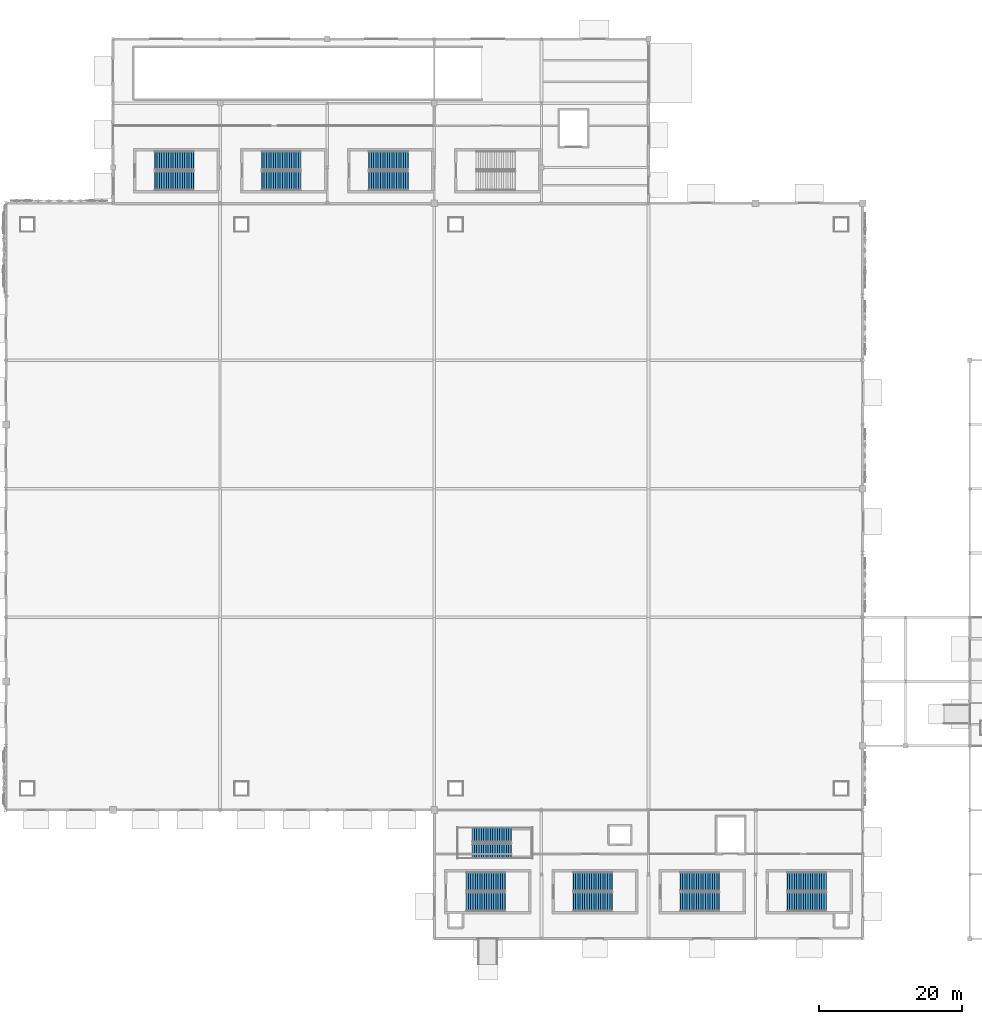
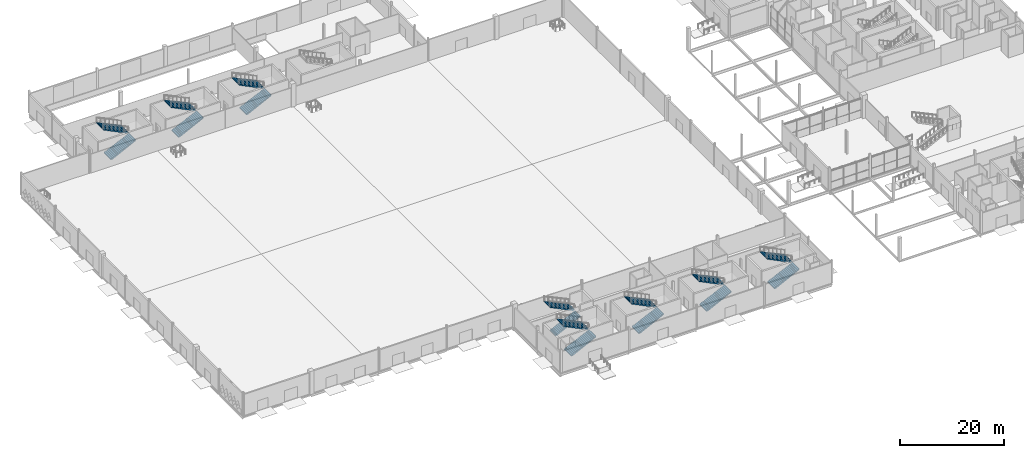
# One storey, part 65 of 94: 16 stair flights, 8 elements without a shape of their own.
"""IFC4 building model written with IfcOpenShell, lengths in metres."""

from ifc_helpers import new_model, si_unit, direction, frame, origin, place, context, subcontext, project, spatial, polyline, outline, extrude, material, type_object, element, aggregate, save


model = new_model("IFC4")

# Units and contexts
model_context = context("Model", 3, precision=1e-05, world=origin(), true_north=direction((0.0, 1.0)))
body_context = subcontext(model_context, "Body", "Model", "MODEL_VIEW")
ifc_project = project(units=[si_unit("LENGTHUNIT", "METRE"), si_unit("AREAUNIT", "SQUARE_METRE"), si_unit("VOLUMEUNIT", "CUBIC_METRE"), si_unit("PLANEANGLEUNIT", "RADIAN"), si_unit("MASSUNIT", "GRAM", prefix="KILO")], contexts=[model_context])

# Site, building, storey
site_placement = place(None, origin())
site = spatial("IfcSite", under=ifc_project, at=site_placement, CompositionType="ELEMENT")
building_placement = place(site_placement, origin())
building = spatial("IfcBuilding", under=site, at=building_placement, Name="Qamarlyn Nura Convention Centre", CompositionType="ELEMENT")
storey_placement = place(building_placement, origin())
storey = spatial("IfcBuildingStorey", under=building, at=storey_placement, Name="L00", CompositionType="ELEMENT", Elevation=0.0)

# Stair, stair flights
ifc_material = material(Name="Concrete C40/50", Category="concrete")
stair_type_1 = type_object("IfcStairType", Name="STAIR-EXIT-54", PredefinedType="HALF_TURN_STAIR", material=ifc_material)
stair_1_placement = place(storey_placement, origin())
stair_1 = element("IfcStair", 1, at=stair_1_placement, inside=storey, type_object=stair_type_1, Name="L00 Enclosed exit stair ST-01", PredefinedType="HALF_TURN_STAIR")
stair_flight_type_1 = type_object("IfcStairFlightType", Name="FLIGHT-EXIT-54", PredefinedType="STRAIGHT", material=ifc_material)
stair_flight_1_placement = place(storey_placement, frame((20.860107421875, 106.1298828125, 0.0), z_axis=(0.0, 0.0, 1.0), x_axis=(1.0, 0.0, 0.0)))
stair_flight_1 = element("IfcStairFlight", 2, at=stair_flight_1_placement, type_object=stair_flight_type_1, Name="ST-01 flight 1", NumberOfRisers=18, NumberOfTreads=17, PredefinedType="STRAIGHT", RiserHeight=0.15, TreadLength=0.32, context=body_context, shape_type="SweptSolid", body=[
    extrude(outline(polyline([(-0.054931640625, 0.0), (0.0, 0.0), (0.0, 0.14990234375), (0.320068359375, 0.14990234375), (0.320068359375, 0.300048828125), (0.639892578125, 0.300048828125), (0.639892578125, 0.449951171875), (0.9599609375, 0.449951171875), (0.9599609375, 0.60009765625), (1.280029296875, 0.60009765625), (1.280029296875, 0.75), (1.60009765625, 0.75), (1.60009765625, 0.89990234375), (1.919921875, 0.89990234375), (1.919921875, 1.050048828125), (2.239990234375, 1.050048828125), (2.239990234375, 1.199951171875), (2.56005859375, 1.199951171875), (2.56005859375, 1.35009765625), (2.8798828125, 1.35009765625), (2.8798828125, 1.5), (3.199951171875, 1.5), (3.199951171875, 1.64990234375), (3.52001953125, 1.64990234375), (3.52001953125, 1.800048828125), (3.840087890625, 1.800048828125), (3.840087890625, 1.949951171875), (4.159912109375, 1.949951171875), (4.159912109375, 2.10009765625), (4.47998046875, 2.10009765625), (4.47998046875, 2.25), (4.800048828125, 2.25), (4.800048828125, 2.39990234375), (5.1201171875, 2.39990234375), (5.1201171875, 2.550048828125), (5.43994140625, 2.550048828125), (5.43994140625, 2.699951171875), (5.494873046875, 2.699951171875), (5.494873046875, 2.56005859375), (5.43994140625, 2.384521484375), (0.353271484375, -0.139892578125), (-0.054931640625, -0.139892578125), (-0.054931640625, 0.0)])), frame((0.0, 1.330078125, 0.0), z_axis=(0.0, -1.0, 0.0), x_axis=(1.0, 0.0, 0.0)), (0.0, 0.0, 1.0), 2.659912109375),
])
stair_flight_2_placement = place(storey_placement, frame((26.300048828125, 108.969970703125, 2.699951171875), z_axis=(0.0, 0.0, 1.0), x_axis=(-1.0, 0.0, 0.0)))
stair_flight_2 = element("IfcStairFlight", 3, at=stair_flight_2_placement, type_object=stair_flight_type_1, Name="ST-01 flight 2", NumberOfRisers=18, NumberOfTreads=17, PredefinedType="STRAIGHT", RiserHeight=0.15, TreadLength=0.32, context=body_context, shape_type="SweptSolid", body=[
    extrude(outline(polyline([(-0.054931640625, 0.0), (0.0, 0.0), (0.0, 0.14990234375), (0.320068359375, 0.14990234375), (0.320068359375, 0.300048828125), (0.639892578125, 0.300048828125), (0.639892578125, 0.449951171875), (0.9599609375, 0.449951171875), (0.9599609375, 0.60009765625), (1.280029296875, 0.60009765625), (1.280029296875, 0.75), (1.60009765625, 0.75), (1.60009765625, 0.89990234375), (1.919921875, 0.89990234375), (1.919921875, 1.050048828125), (2.239990234375, 1.050048828125), (2.239990234375, 1.199951171875), (2.56005859375, 1.199951171875), (2.56005859375, 1.35009765625), (2.8798828125, 1.35009765625), (2.8798828125, 1.5), (3.199951171875, 1.5), (3.199951171875, 1.64990234375), (3.52001953125, 1.64990234375), (3.52001953125, 1.800048828125), (3.840087890625, 1.800048828125), (3.840087890625, 1.949951171875), (4.159912109375, 1.949951171875), (4.159912109375, 2.10009765625), (4.47998046875, 2.10009765625), (4.47998046875, 2.25), (4.800048828125, 2.25), (4.800048828125, 2.39990234375), (5.1201171875, 2.39990234375), (5.1201171875, 2.550048828125), (5.43994140625, 2.550048828125), (5.43994140625, 2.699951171875), (5.494873046875, 2.699951171875), (5.494873046875, 2.56005859375), (5.43994140625, 2.384521484375), (0.353271484375, -0.139892578125), (-0.054931640625, -0.139892578125), (-0.054931640625, 0.0)])), frame((0.0, 1.330078125, 0.0), z_axis=(0.0, -1.0, 0.0), x_axis=(1.0, 0.0, 0.0)), (0.0, 0.0, 1.0), 2.659912109375),
])
aggregate(stair_1, [stair_flight_1, stair_flight_2])

stair_2_placement = place(storey_placement, origin())
stair_2 = element("IfcStair", 4, at=stair_2_placement, inside=storey, type_object=stair_type_1, Name="L00 Enclosed exit stair ST-02", PredefinedType="HALF_TURN_STAIR")
stair_flight_3_placement = place(storey_placement, frame((35.860107421875, 106.1298828125, 0.0), z_axis=(0.0, 0.0, 1.0), x_axis=(1.0, 0.0, 0.0)))
stair_flight_3 = element("IfcStairFlight", 5, at=stair_flight_3_placement, type_object=stair_flight_type_1, Name="ST-02 flight 1", NumberOfRisers=18, NumberOfTreads=17, PredefinedType="STRAIGHT", RiserHeight=0.15, TreadLength=0.32, context=body_context, shape_type="SweptSolid", body=[
    extrude(outline(polyline([(-0.054931640625, 0.0), (0.0, 0.0), (0.0, 0.14990234375), (0.320068359375, 0.14990234375), (0.320068359375, 0.300048828125), (0.639892578125, 0.300048828125), (0.639892578125, 0.449951171875), (0.9599609375, 0.449951171875), (0.9599609375, 0.60009765625), (1.280029296875, 0.60009765625), (1.280029296875, 0.75), (1.60009765625, 0.75), (1.60009765625, 0.89990234375), (1.919921875, 0.89990234375), (1.919921875, 1.050048828125), (2.239990234375, 1.050048828125), (2.239990234375, 1.199951171875), (2.56005859375, 1.199951171875), (2.56005859375, 1.35009765625), (2.8798828125, 1.35009765625), (2.8798828125, 1.5), (3.199951171875, 1.5), (3.199951171875, 1.64990234375), (3.52001953125, 1.64990234375), (3.52001953125, 1.800048828125), (3.840087890625, 1.800048828125), (3.840087890625, 1.949951171875), (4.159912109375, 1.949951171875), (4.159912109375, 2.10009765625), (4.47998046875, 2.10009765625), (4.47998046875, 2.25), (4.800048828125, 2.25), (4.800048828125, 2.39990234375), (5.1201171875, 2.39990234375), (5.1201171875, 2.550048828125), (5.43994140625, 2.550048828125), (5.43994140625, 2.699951171875), (5.494873046875, 2.699951171875), (5.494873046875, 2.56005859375), (5.43994140625, 2.384521484375), (0.353271484375, -0.139892578125), (-0.054931640625, -0.139892578125), (-0.054931640625, 0.0)])), frame((0.0, 1.330078125, 0.0), z_axis=(0.0, -1.0, 0.0), x_axis=(1.0, 0.0, 0.0)), (0.0, 0.0, 1.0), 2.659912109375),
])
stair_flight_4_placement = place(storey_placement, frame((41.300048828125, 108.969970703125, 2.699951171875), z_axis=(0.0, 0.0, 1.0), x_axis=(-1.0, 0.0, 0.0)))
stair_flight_4 = element("IfcStairFlight", 6, at=stair_flight_4_placement, type_object=stair_flight_type_1, Name="ST-02 flight 2", NumberOfRisers=18, NumberOfTreads=17, PredefinedType="STRAIGHT", RiserHeight=0.15, TreadLength=0.32, context=body_context, shape_type="SweptSolid", body=[
    extrude(outline(polyline([(-0.054931640625, 0.0), (0.0, 0.0), (0.0, 0.14990234375), (0.320068359375, 0.14990234375), (0.320068359375, 0.300048828125), (0.639892578125, 0.300048828125), (0.639892578125, 0.449951171875), (0.9599609375, 0.449951171875), (0.9599609375, 0.60009765625), (1.280029296875, 0.60009765625), (1.280029296875, 0.75), (1.60009765625, 0.75), (1.60009765625, 0.89990234375), (1.919921875, 0.89990234375), (1.919921875, 1.050048828125), (2.239990234375, 1.050048828125), (2.239990234375, 1.199951171875), (2.56005859375, 1.199951171875), (2.56005859375, 1.35009765625), (2.8798828125, 1.35009765625), (2.8798828125, 1.5), (3.199951171875, 1.5), (3.199951171875, 1.64990234375), (3.52001953125, 1.64990234375), (3.52001953125, 1.800048828125), (3.840087890625, 1.800048828125), (3.840087890625, 1.949951171875), (4.159912109375, 1.949951171875), (4.159912109375, 2.10009765625), (4.47998046875, 2.10009765625), (4.47998046875, 2.25), (4.800048828125, 2.25), (4.800048828125, 2.39990234375), (5.1201171875, 2.39990234375), (5.1201171875, 2.550048828125), (5.43994140625, 2.550048828125), (5.43994140625, 2.699951171875), (5.494873046875, 2.699951171875), (5.494873046875, 2.56005859375), (5.43994140625, 2.384521484375), (0.353271484375, -0.139892578125), (-0.054931640625, -0.139892578125), (-0.054931640625, 0.0)])), frame((0.0, 1.330078125, 0.0), z_axis=(0.0, -1.0, 0.0), x_axis=(1.0, 0.0, 0.0)), (0.0, 0.0, 1.0), 2.659912109375),
])
aggregate(stair_2, [stair_flight_3, stair_flight_4])

stair_3_placement = place(storey_placement, origin())
stair_3 = element("IfcStair", 7, at=stair_3_placement, inside=storey, type_object=stair_type_1, Name="L00 Enclosed exit stair ST-03", PredefinedType="HALF_TURN_STAIR")
stair_flight_5_placement = place(storey_placement, frame((50.860107421875, 106.1298828125, 0.0), z_axis=(0.0, 0.0, 1.0), x_axis=(1.0, 0.0, 0.0)))
stair_flight_5 = element("IfcStairFlight", 8, at=stair_flight_5_placement, type_object=stair_flight_type_1, Name="ST-03 flight 1", NumberOfRisers=18, NumberOfTreads=17, PredefinedType="STRAIGHT", RiserHeight=0.15, TreadLength=0.32, context=body_context, shape_type="SweptSolid", body=[
    extrude(outline(polyline([(-0.054931640625, 0.0), (0.0, 0.0), (0.0, 0.14990234375), (0.320068359375, 0.14990234375), (0.320068359375, 0.300048828125), (0.639892578125, 0.300048828125), (0.639892578125, 0.449951171875), (0.9599609375, 0.449951171875), (0.9599609375, 0.60009765625), (1.280029296875, 0.60009765625), (1.280029296875, 0.75), (1.60009765625, 0.75), (1.60009765625, 0.89990234375), (1.919921875, 0.89990234375), (1.919921875, 1.050048828125), (2.239990234375, 1.050048828125), (2.239990234375, 1.199951171875), (2.56005859375, 1.199951171875), (2.56005859375, 1.35009765625), (2.8798828125, 1.35009765625), (2.8798828125, 1.5), (3.199951171875, 1.5), (3.199951171875, 1.64990234375), (3.52001953125, 1.64990234375), (3.52001953125, 1.800048828125), (3.840087890625, 1.800048828125), (3.840087890625, 1.949951171875), (4.159912109375, 1.949951171875), (4.159912109375, 2.10009765625), (4.47998046875, 2.10009765625), (4.47998046875, 2.25), (4.800048828125, 2.25), (4.800048828125, 2.39990234375), (5.1201171875, 2.39990234375), (5.1201171875, 2.550048828125), (5.43994140625, 2.550048828125), (5.43994140625, 2.699951171875), (5.494873046875, 2.699951171875), (5.494873046875, 2.56005859375), (5.43994140625, 2.384521484375), (0.353271484375, -0.139892578125), (-0.054931640625, -0.139892578125), (-0.054931640625, 0.0)])), frame((0.0, 1.330078125, 0.0), z_axis=(0.0, -1.0, 0.0), x_axis=(1.0, 0.0, 0.0)), (0.0, 0.0, 1.0), 2.659912109375),
])
stair_flight_6_placement = place(storey_placement, frame((56.300048828125, 108.969970703125, 2.699951171875), z_axis=(0.0, 0.0, 1.0), x_axis=(-1.0, 0.0, 0.0)))
stair_flight_6 = element("IfcStairFlight", 9, at=stair_flight_6_placement, type_object=stair_flight_type_1, Name="ST-03 flight 2", NumberOfRisers=18, NumberOfTreads=17, PredefinedType="STRAIGHT", RiserHeight=0.15, TreadLength=0.32, context=body_context, shape_type="SweptSolid", body=[
    extrude(outline(polyline([(-0.054931640625, 0.0), (0.0, 0.0), (0.0, 0.14990234375), (0.320068359375, 0.14990234375), (0.320068359375, 0.300048828125), (0.639892578125, 0.300048828125), (0.639892578125, 0.449951171875), (0.9599609375, 0.449951171875), (0.9599609375, 0.60009765625), (1.280029296875, 0.60009765625), (1.280029296875, 0.75), (1.60009765625, 0.75), (1.60009765625, 0.89990234375), (1.919921875, 0.89990234375), (1.919921875, 1.050048828125), (2.239990234375, 1.050048828125), (2.239990234375, 1.199951171875), (2.56005859375, 1.199951171875), (2.56005859375, 1.35009765625), (2.8798828125, 1.35009765625), (2.8798828125, 1.5), (3.199951171875, 1.5), (3.199951171875, 1.64990234375), (3.52001953125, 1.64990234375), (3.52001953125, 1.800048828125), (3.840087890625, 1.800048828125), (3.840087890625, 1.949951171875), (4.159912109375, 1.949951171875), (4.159912109375, 2.10009765625), (4.47998046875, 2.10009765625), (4.47998046875, 2.25), (4.800048828125, 2.25), (4.800048828125, 2.39990234375), (5.1201171875, 2.39990234375), (5.1201171875, 2.550048828125), (5.43994140625, 2.550048828125), (5.43994140625, 2.699951171875), (5.494873046875, 2.699951171875), (5.494873046875, 2.56005859375), (5.43994140625, 2.384521484375), (0.353271484375, -0.139892578125), (-0.054931640625, -0.139892578125), (-0.054931640625, 0.0)])), frame((0.0, 1.330078125, 0.0), z_axis=(0.0, -1.0, 0.0), x_axis=(1.0, 0.0, 0.0)), (0.0, 0.0, 1.0), 2.659912109375),
])
aggregate(stair_3, [stair_flight_5, stair_flight_6])

stair_4_placement = place(storey_placement, origin())
stair_4 = element("IfcStair", 10, at=stair_4_placement, inside=storey, type_object=stair_type_1, Name="L00 Enclosed exit stair ST-05", PredefinedType="HALF_TURN_STAIR")
stair_flight_7_placement = place(storey_placement, frame((64.4599609375, 5.1298828125, 0.0), z_axis=(0.0, 0.0, 1.0), x_axis=(1.0, 0.0, 0.0)))
stair_flight_7 = element("IfcStairFlight", 11, at=stair_flight_7_placement, type_object=stair_flight_type_1, Name="ST-05 flight 1", NumberOfRisers=18, NumberOfTreads=17, PredefinedType="STRAIGHT", RiserHeight=0.15, TreadLength=0.32, context=body_context, shape_type="SweptSolid", body=[
    extrude(outline(polyline([(-0.054931640625, 0.0), (0.0, 0.0), (0.0, 0.14990234375), (0.320068359375, 0.14990234375), (0.320068359375, 0.300048828125), (0.639892578125, 0.300048828125), (0.639892578125, 0.449951171875), (0.9599609375, 0.449951171875), (0.9599609375, 0.60009765625), (1.280029296875, 0.60009765625), (1.280029296875, 0.75), (1.60009765625, 0.75), (1.60009765625, 0.89990234375), (1.919921875, 0.89990234375), (1.919921875, 1.050048828125), (2.239990234375, 1.050048828125), (2.239990234375, 1.199951171875), (2.56005859375, 1.199951171875), (2.56005859375, 1.35009765625), (2.8798828125, 1.35009765625), (2.8798828125, 1.5), (3.199951171875, 1.5), (3.199951171875, 1.64990234375), (3.52001953125, 1.64990234375), (3.52001953125, 1.800048828125), (3.840087890625, 1.800048828125), (3.840087890625, 1.949951171875), (4.159912109375, 1.949951171875), (4.159912109375, 2.10009765625), (4.47998046875, 2.10009765625), (4.47998046875, 2.25), (4.800048828125, 2.25), (4.800048828125, 2.39990234375), (5.1201171875, 2.39990234375), (5.1201171875, 2.550048828125), (5.43994140625, 2.550048828125), (5.43994140625, 2.699951171875), (5.494873046875, 2.699951171875), (5.494873046875, 2.56005859375), (5.43994140625, 2.384521484375), (0.353271484375, -0.139892578125), (-0.054931640625, -0.139892578125), (-0.054931640625, 0.0)])), frame((0.0, 1.330078125, 0.0), z_axis=(0.0, -1.0, 0.0), x_axis=(1.0, 0.0, 0.0)), (0.0, 0.0, 1.0), 2.659912109375),
])
stair_flight_8_placement = place(storey_placement, frame((69.89990234375, 7.969970703125, 2.699951171875), z_axis=(0.0, 0.0, 1.0), x_axis=(-1.0, 0.0, 0.0)))
stair_flight_8 = element("IfcStairFlight", 12, at=stair_flight_8_placement, type_object=stair_flight_type_1, Name="ST-05 flight 2", NumberOfRisers=18, NumberOfTreads=17, PredefinedType="STRAIGHT", RiserHeight=0.15, TreadLength=0.32, context=body_context, shape_type="SweptSolid", body=[
    extrude(outline(polyline([(-0.054931640625, 0.0), (0.0, 0.0), (0.0, 0.14990234375), (0.320068359375, 0.14990234375), (0.320068359375, 0.300048828125), (0.639892578125, 0.300048828125), (0.639892578125, 0.449951171875), (0.9599609375, 0.449951171875), (0.9599609375, 0.60009765625), (1.280029296875, 0.60009765625), (1.280029296875, 0.75), (1.60009765625, 0.75), (1.60009765625, 0.89990234375), (1.919921875, 0.89990234375), (1.919921875, 1.050048828125), (2.239990234375, 1.050048828125), (2.239990234375, 1.199951171875), (2.56005859375, 1.199951171875), (2.56005859375, 1.35009765625), (2.8798828125, 1.35009765625), (2.8798828125, 1.5), (3.199951171875, 1.5), (3.199951171875, 1.64990234375), (3.52001953125, 1.64990234375), (3.52001953125, 1.800048828125), (3.840087890625, 1.800048828125), (3.840087890625, 1.949951171875), (4.159912109375, 1.949951171875), (4.159912109375, 2.10009765625), (4.47998046875, 2.10009765625), (4.47998046875, 2.25), (4.800048828125, 2.25), (4.800048828125, 2.39990234375), (5.1201171875, 2.39990234375), (5.1201171875, 2.550048828125), (5.43994140625, 2.550048828125), (5.43994140625, 2.699951171875), (5.494873046875, 2.699951171875), (5.494873046875, 2.56005859375), (5.43994140625, 2.384521484375), (0.353271484375, -0.139892578125), (-0.054931640625, -0.139892578125), (-0.054931640625, 0.0)])), frame((0.0, 1.330078125, 0.0), z_axis=(0.0, -1.0, 0.0), x_axis=(1.0, 0.0, 0.0)), (0.0, 0.0, 1.0), 2.659912109375),
])
aggregate(stair_4, [stair_flight_7, stair_flight_8])

stair_5_placement = place(storey_placement, origin())
stair_5 = element("IfcStair", 13, at=stair_5_placement, inside=storey, type_object=stair_type_1, Name="L00 Enclosed exit stair ST-06", PredefinedType="HALF_TURN_STAIR")
stair_flight_9_placement = place(storey_placement, frame((79.4599609375, 5.1298828125, 0.0), z_axis=(0.0, 0.0, 1.0), x_axis=(1.0, 0.0, 0.0)))
stair_flight_9 = element("IfcStairFlight", 14, at=stair_flight_9_placement, type_object=stair_flight_type_1, Name="ST-06 flight 1", NumberOfRisers=18, NumberOfTreads=17, PredefinedType="STRAIGHT", RiserHeight=0.15, TreadLength=0.32, context=body_context, shape_type="SweptSolid", body=[
    extrude(outline(polyline([(-0.054931640625, 0.0), (0.0, 0.0), (0.0, 0.14990234375), (0.320068359375, 0.14990234375), (0.320068359375, 0.300048828125), (0.639892578125, 0.300048828125), (0.639892578125, 0.449951171875), (0.9599609375, 0.449951171875), (0.9599609375, 0.60009765625), (1.280029296875, 0.60009765625), (1.280029296875, 0.75), (1.60009765625, 0.75), (1.60009765625, 0.89990234375), (1.919921875, 0.89990234375), (1.919921875, 1.050048828125), (2.239990234375, 1.050048828125), (2.239990234375, 1.199951171875), (2.56005859375, 1.199951171875), (2.56005859375, 1.35009765625), (2.8798828125, 1.35009765625), (2.8798828125, 1.5), (3.199951171875, 1.5), (3.199951171875, 1.64990234375), (3.52001953125, 1.64990234375), (3.52001953125, 1.800048828125), (3.840087890625, 1.800048828125), (3.840087890625, 1.949951171875), (4.159912109375, 1.949951171875), (4.159912109375, 2.10009765625), (4.47998046875, 2.10009765625), (4.47998046875, 2.25), (4.800048828125, 2.25), (4.800048828125, 2.39990234375), (5.1201171875, 2.39990234375), (5.1201171875, 2.550048828125), (5.43994140625, 2.550048828125), (5.43994140625, 2.699951171875), (5.494873046875, 2.699951171875), (5.494873046875, 2.56005859375), (5.43994140625, 2.384521484375), (0.353271484375, -0.139892578125), (-0.054931640625, -0.139892578125), (-0.054931640625, 0.0)])), frame((0.0, 1.330078125, 0.0), z_axis=(0.0, -1.0, 0.0), x_axis=(1.0, 0.0, 0.0)), (0.0, 0.0, 1.0), 2.659912109375),
])
stair_flight_10_placement = place(storey_placement, frame((84.89990234375, 7.969970703125, 2.699951171875), z_axis=(0.0, 0.0, 1.0), x_axis=(-1.0, 0.0, 0.0)))
stair_flight_10 = element("IfcStairFlight", 15, at=stair_flight_10_placement, type_object=stair_flight_type_1, Name="ST-06 flight 2", NumberOfRisers=18, NumberOfTreads=17, PredefinedType="STRAIGHT", RiserHeight=0.15, TreadLength=0.32, context=body_context, shape_type="SweptSolid", body=[
    extrude(outline(polyline([(-0.054931640625, 0.0), (0.0, 0.0), (0.0, 0.14990234375), (0.320068359375, 0.14990234375), (0.320068359375, 0.300048828125), (0.639892578125, 0.300048828125), (0.639892578125, 0.449951171875), (0.9599609375, 0.449951171875), (0.9599609375, 0.60009765625), (1.280029296875, 0.60009765625), (1.280029296875, 0.75), (1.60009765625, 0.75), (1.60009765625, 0.89990234375), (1.919921875, 0.89990234375), (1.919921875, 1.050048828125), (2.239990234375, 1.050048828125), (2.239990234375, 1.199951171875), (2.56005859375, 1.199951171875), (2.56005859375, 1.35009765625), (2.8798828125, 1.35009765625), (2.8798828125, 1.5), (3.199951171875, 1.5), (3.199951171875, 1.64990234375), (3.52001953125, 1.64990234375), (3.52001953125, 1.800048828125), (3.840087890625, 1.800048828125), (3.840087890625, 1.949951171875), (4.159912109375, 1.949951171875), (4.159912109375, 2.10009765625), (4.47998046875, 2.10009765625), (4.47998046875, 2.25), (4.800048828125, 2.25), (4.800048828125, 2.39990234375), (5.1201171875, 2.39990234375), (5.1201171875, 2.550048828125), (5.43994140625, 2.550048828125), (5.43994140625, 2.699951171875), (5.494873046875, 2.699951171875), (5.494873046875, 2.56005859375), (5.43994140625, 2.384521484375), (0.353271484375, -0.139892578125), (-0.054931640625, -0.139892578125), (-0.054931640625, 0.0)])), frame((0.0, 1.330078125, 0.0), z_axis=(0.0, -1.0, 0.0), x_axis=(1.0, 0.0, 0.0)), (0.0, 0.0, 1.0), 2.659912109375),
])
aggregate(stair_5, [stair_flight_9, stair_flight_10])

stair_6_placement = place(storey_placement, origin())
stair_6 = element("IfcStair", 16, at=stair_6_placement, inside=storey, type_object=stair_type_1, Name="L00 Enclosed exit stair ST-07", PredefinedType="HALF_TURN_STAIR")
stair_flight_11_placement = place(storey_placement, frame((94.4599609375, 5.1298828125, 0.0), z_axis=(0.0, 0.0, 1.0), x_axis=(1.0, 0.0, 0.0)))
stair_flight_11 = element("IfcStairFlight", 17, at=stair_flight_11_placement, type_object=stair_flight_type_1, Name="ST-07 flight 1", NumberOfRisers=18, NumberOfTreads=17, PredefinedType="STRAIGHT", RiserHeight=0.15, TreadLength=0.32, context=body_context, shape_type="SweptSolid", body=[
    extrude(outline(polyline([(-0.054931640625, 0.0), (0.0, 0.0), (0.0, 0.14990234375), (0.320068359375, 0.14990234375), (0.320068359375, 0.300048828125), (0.639892578125, 0.300048828125), (0.639892578125, 0.449951171875), (0.9599609375, 0.449951171875), (0.9599609375, 0.60009765625), (1.280029296875, 0.60009765625), (1.280029296875, 0.75), (1.60009765625, 0.75), (1.60009765625, 0.89990234375), (1.919921875, 0.89990234375), (1.919921875, 1.050048828125), (2.239990234375, 1.050048828125), (2.239990234375, 1.199951171875), (2.56005859375, 1.199951171875), (2.56005859375, 1.35009765625), (2.8798828125, 1.35009765625), (2.8798828125, 1.5), (3.199951171875, 1.5), (3.199951171875, 1.64990234375), (3.52001953125, 1.64990234375), (3.52001953125, 1.800048828125), (3.840087890625, 1.800048828125), (3.840087890625, 1.949951171875), (4.159912109375, 1.949951171875), (4.159912109375, 2.10009765625), (4.47998046875, 2.10009765625), (4.47998046875, 2.25), (4.800048828125, 2.25), (4.800048828125, 2.39990234375), (5.1201171875, 2.39990234375), (5.1201171875, 2.550048828125), (5.43994140625, 2.550048828125), (5.43994140625, 2.699951171875), (5.494873046875, 2.699951171875), (5.494873046875, 2.56005859375), (5.43994140625, 2.384521484375), (0.353271484375, -0.139892578125), (-0.054931640625, -0.139892578125), (-0.054931640625, 0.0)])), frame((0.0, 1.330078125, 0.0), z_axis=(0.0, -1.0, 0.0), x_axis=(1.0, 0.0, 0.0)), (0.0, 0.0, 1.0), 2.659912109375),
])
stair_flight_12_placement = place(storey_placement, frame((99.89990234375, 7.969970703125, 2.699951171875), z_axis=(0.0, 0.0, 1.0), x_axis=(-1.0, 0.0, 0.0)))
stair_flight_12 = element("IfcStairFlight", 18, at=stair_flight_12_placement, type_object=stair_flight_type_1, Name="ST-07 flight 2", NumberOfRisers=18, NumberOfTreads=17, PredefinedType="STRAIGHT", RiserHeight=0.15, TreadLength=0.32, context=body_context, shape_type="SweptSolid", body=[
    extrude(outline(polyline([(-0.054931640625, 0.0), (0.0, 0.0), (0.0, 0.14990234375), (0.320068359375, 0.14990234375), (0.320068359375, 0.300048828125), (0.639892578125, 0.300048828125), (0.639892578125, 0.449951171875), (0.9599609375, 0.449951171875), (0.9599609375, 0.60009765625), (1.280029296875, 0.60009765625), (1.280029296875, 0.75), (1.60009765625, 0.75), (1.60009765625, 0.89990234375), (1.919921875, 0.89990234375), (1.919921875, 1.050048828125), (2.239990234375, 1.050048828125), (2.239990234375, 1.199951171875), (2.56005859375, 1.199951171875), (2.56005859375, 1.35009765625), (2.8798828125, 1.35009765625), (2.8798828125, 1.5), (3.199951171875, 1.5), (3.199951171875, 1.64990234375), (3.52001953125, 1.64990234375), (3.52001953125, 1.800048828125), (3.840087890625, 1.800048828125), (3.840087890625, 1.949951171875), (4.159912109375, 1.949951171875), (4.159912109375, 2.10009765625), (4.47998046875, 2.10009765625), (4.47998046875, 2.25), (4.800048828125, 2.25), (4.800048828125, 2.39990234375), (5.1201171875, 2.39990234375), (5.1201171875, 2.550048828125), (5.43994140625, 2.550048828125), (5.43994140625, 2.699951171875), (5.494873046875, 2.699951171875), (5.494873046875, 2.56005859375), (5.43994140625, 2.384521484375), (0.353271484375, -0.139892578125), (-0.054931640625, -0.139892578125), (-0.054931640625, 0.0)])), frame((0.0, 1.330078125, 0.0), z_axis=(0.0, -1.0, 0.0), x_axis=(1.0, 0.0, 0.0)), (0.0, 0.0, 1.0), 2.659912109375),
])
aggregate(stair_6, [stair_flight_11, stair_flight_12])

stair_7_placement = place(storey_placement, origin())
stair_7 = element("IfcStair", 19, at=stair_7_placement, inside=storey, type_object=stair_type_1, Name="L00 Enclosed exit stair ST-08", PredefinedType="HALF_TURN_STAIR")
stair_flight_13_placement = place(storey_placement, frame((109.4599609375, 5.1298828125, 0.0), z_axis=(0.0, 0.0, 1.0), x_axis=(1.0, 0.0, 0.0)))
stair_flight_13 = element("IfcStairFlight", 20, at=stair_flight_13_placement, type_object=stair_flight_type_1, Name="ST-08 flight 1", NumberOfRisers=18, NumberOfTreads=17, PredefinedType="STRAIGHT", RiserHeight=0.15, TreadLength=0.32, context=body_context, shape_type="SweptSolid", body=[
    extrude(outline(polyline([(-0.054931640625, 0.0), (0.0, 0.0), (0.0, 0.14990234375), (0.320068359375, 0.14990234375), (0.320068359375, 0.300048828125), (0.639892578125, 0.300048828125), (0.639892578125, 0.449951171875), (0.9599609375, 0.449951171875), (0.9599609375, 0.60009765625), (1.280029296875, 0.60009765625), (1.280029296875, 0.75), (1.60009765625, 0.75), (1.60009765625, 0.89990234375), (1.919921875, 0.89990234375), (1.919921875, 1.050048828125), (2.239990234375, 1.050048828125), (2.239990234375, 1.199951171875), (2.56005859375, 1.199951171875), (2.56005859375, 1.35009765625), (2.8798828125, 1.35009765625), (2.8798828125, 1.5), (3.199951171875, 1.5), (3.199951171875, 1.64990234375), (3.52001953125, 1.64990234375), (3.52001953125, 1.800048828125), (3.840087890625, 1.800048828125), (3.840087890625, 1.949951171875), (4.159912109375, 1.949951171875), (4.159912109375, 2.10009765625), (4.47998046875, 2.10009765625), (4.47998046875, 2.25), (4.800048828125, 2.25), (4.800048828125, 2.39990234375), (5.1201171875, 2.39990234375), (5.1201171875, 2.550048828125), (5.43994140625, 2.550048828125), (5.43994140625, 2.699951171875), (5.494873046875, 2.699951171875), (5.494873046875, 2.56005859375), (5.43994140625, 2.384521484375), (0.353271484375, -0.139892578125), (-0.054931640625, -0.139892578125), (-0.054931640625, 0.0)])), frame((0.0, 1.330078125, 0.0), z_axis=(0.0, -1.0, 0.0), x_axis=(1.0, 0.0, 0.0)), (0.0, 0.0, 1.0), 2.659912109375),
])
stair_flight_14_placement = place(storey_placement, frame((114.89990234375, 7.969970703125, 2.699951171875), z_axis=(0.0, 0.0, 1.0), x_axis=(-1.0, 0.0, 0.0)))
stair_flight_14 = element("IfcStairFlight", 21, at=stair_flight_14_placement, type_object=stair_flight_type_1, Name="ST-08 flight 2", NumberOfRisers=18, NumberOfTreads=17, PredefinedType="STRAIGHT", RiserHeight=0.15, TreadLength=0.32, context=body_context, shape_type="SweptSolid", body=[
    extrude(outline(polyline([(-0.054931640625, 0.0), (0.0, 0.0), (0.0, 0.14990234375), (0.320068359375, 0.14990234375), (0.320068359375, 0.300048828125), (0.639892578125, 0.300048828125), (0.639892578125, 0.449951171875), (0.9599609375, 0.449951171875), (0.9599609375, 0.60009765625), (1.280029296875, 0.60009765625), (1.280029296875, 0.75), (1.60009765625, 0.75), (1.60009765625, 0.89990234375), (1.919921875, 0.89990234375), (1.919921875, 1.050048828125), (2.239990234375, 1.050048828125), (2.239990234375, 1.199951171875), (2.56005859375, 1.199951171875), (2.56005859375, 1.35009765625), (2.8798828125, 1.35009765625), (2.8798828125, 1.5), (3.199951171875, 1.5), (3.199951171875, 1.64990234375), (3.52001953125, 1.64990234375), (3.52001953125, 1.800048828125), (3.840087890625, 1.800048828125), (3.840087890625, 1.949951171875), (4.159912109375, 1.949951171875), (4.159912109375, 2.10009765625), (4.47998046875, 2.10009765625), (4.47998046875, 2.25), (4.800048828125, 2.25), (4.800048828125, 2.39990234375), (5.1201171875, 2.39990234375), (5.1201171875, 2.550048828125), (5.43994140625, 2.550048828125), (5.43994140625, 2.699951171875), (5.494873046875, 2.699951171875), (5.494873046875, 2.56005859375), (5.43994140625, 2.384521484375), (0.353271484375, -0.139892578125), (-0.054931640625, -0.139892578125), (-0.054931640625, 0.0)])), frame((0.0, 1.330078125, 0.0), z_axis=(0.0, -1.0, 0.0), x_axis=(1.0, 0.0, 0.0)), (0.0, 0.0, 1.0), 2.659912109375),
])
aggregate(stair_7, [stair_flight_13, stair_flight_14])

stair_type_2 = type_object("IfcStairType", Name="STAIR-FOY1-54", PredefinedType="HALF_TURN_STAIR", material=ifc_material)
stair_8_placement = place(storey_placement, origin())
stair_8 = element("IfcStair", 22, at=stair_8_placement, inside=storey, type_object=stair_type_2, Name="L00 Foyer feature stair ST-19", PredefinedType="HALF_TURN_STAIR")
stair_flight_type_2 = type_object("IfcStairFlightType", Name="FLIGHT-FOY1-54", PredefinedType="STRAIGHT", material=ifc_material)
stair_flight_15_placement = place(storey_placement, frame((65.300048828125, 12.25, 0.0), z_axis=(0.0, 0.0, 1.0), x_axis=(1.0, 0.0, 0.0)))
stair_flight_15 = element("IfcStairFlight", 23, at=stair_flight_15_placement, type_object=stair_flight_type_2, Name="ST-19 flight 1", NumberOfRisers=18, NumberOfTreads=17, PredefinedType="STRAIGHT", RiserHeight=0.15, TreadLength=0.32, context=body_context, shape_type="SweptSolid", body=[
    extrude(outline(polyline([(-0.054931640625, 0.0), (0.0, 0.0), (0.0, 0.14990234375), (0.320068359375, 0.14990234375), (0.320068359375, 0.300048828125), (0.639892578125, 0.300048828125), (0.639892578125, 0.449951171875), (0.9599609375, 0.449951171875), (0.9599609375, 0.60009765625), (1.280029296875, 0.60009765625), (1.280029296875, 0.75), (1.60009765625, 0.75), (1.60009765625, 0.89990234375), (1.919921875, 0.89990234375), (1.919921875, 1.050048828125), (2.239990234375, 1.050048828125), (2.239990234375, 1.199951171875), (2.56005859375, 1.199951171875), (2.56005859375, 1.35009765625), (2.8798828125, 1.35009765625), (2.8798828125, 1.5), (3.199951171875, 1.5), (3.199951171875, 1.64990234375), (3.52001953125, 1.64990234375), (3.52001953125, 1.800048828125), (3.840087890625, 1.800048828125), (3.840087890625, 1.949951171875), (4.159912109375, 1.949951171875), (4.159912109375, 2.10009765625), (4.47998046875, 2.10009765625), (4.47998046875, 2.25), (4.800048828125, 2.25), (4.800048828125, 2.39990234375), (5.1201171875, 2.39990234375), (5.1201171875, 2.550048828125), (5.43994140625, 2.550048828125), (5.43994140625, 2.699951171875), (5.494873046875, 2.699951171875), (5.494873046875, 2.56005859375), (5.43994140625, 2.384521484375), (0.353271484375, -0.139892578125), (-0.054931640625, -0.139892578125), (-0.054931640625, 0.0)])), frame((0.0, 1.050048828125, 0.0), z_axis=(0.0, -1.0, 0.0), x_axis=(1.0, 0.0, 0.0)), (0.0, 0.0, 1.0), 2.10009765625),
])
stair_flight_16_placement = place(storey_placement, frame((70.739990234375, 14.530029296875, 2.699951171875), z_axis=(0.0, 0.0, 1.0), x_axis=(-1.0, 0.0, 0.0)))
stair_flight_16 = element("IfcStairFlight", 24, at=stair_flight_16_placement, type_object=stair_flight_type_2, Name="ST-19 flight 2", NumberOfRisers=18, NumberOfTreads=17, PredefinedType="STRAIGHT", RiserHeight=0.15, TreadLength=0.32, context=body_context, shape_type="SweptSolid", body=[
    extrude(outline(polyline([(-0.054931640625, 0.0), (0.0, 0.0), (0.0, 0.14990234375), (0.320068359375, 0.14990234375), (0.320068359375, 0.300048828125), (0.639892578125, 0.300048828125), (0.639892578125, 0.449951171875), (0.9599609375, 0.449951171875), (0.9599609375, 0.60009765625), (1.280029296875, 0.60009765625), (1.280029296875, 0.75), (1.60009765625, 0.75), (1.60009765625, 0.89990234375), (1.919921875, 0.89990234375), (1.919921875, 1.050048828125), (2.239990234375, 1.050048828125), (2.239990234375, 1.199951171875), (2.56005859375, 1.199951171875), (2.56005859375, 1.35009765625), (2.8798828125, 1.35009765625), (2.8798828125, 1.5), (3.199951171875, 1.5), (3.199951171875, 1.64990234375), (3.52001953125, 1.64990234375), (3.52001953125, 1.800048828125), (3.840087890625, 1.800048828125), (3.840087890625, 1.949951171875), (4.159912109375, 1.949951171875), (4.159912109375, 2.10009765625), (4.47998046875, 2.10009765625), (4.47998046875, 2.25), (4.800048828125, 2.25), (4.800048828125, 2.39990234375), (5.1201171875, 2.39990234375), (5.1201171875, 2.550048828125), (5.43994140625, 2.550048828125), (5.43994140625, 2.699951171875), (5.494873046875, 2.699951171875), (5.494873046875, 2.56005859375), (5.43994140625, 2.384521484375), (0.353271484375, -0.139892578125), (-0.054931640625, -0.139892578125), (-0.054931640625, 0.0)])), frame((0.0, 1.050048828125, 0.0), z_axis=(0.0, -1.0, 0.0), x_axis=(1.0, 0.0, 0.0)), (0.0, 0.0, 1.0), 2.10009765625),
])
aggregate(stair_8, [stair_flight_15, stair_flight_16])

save(model, "model.ifc")
